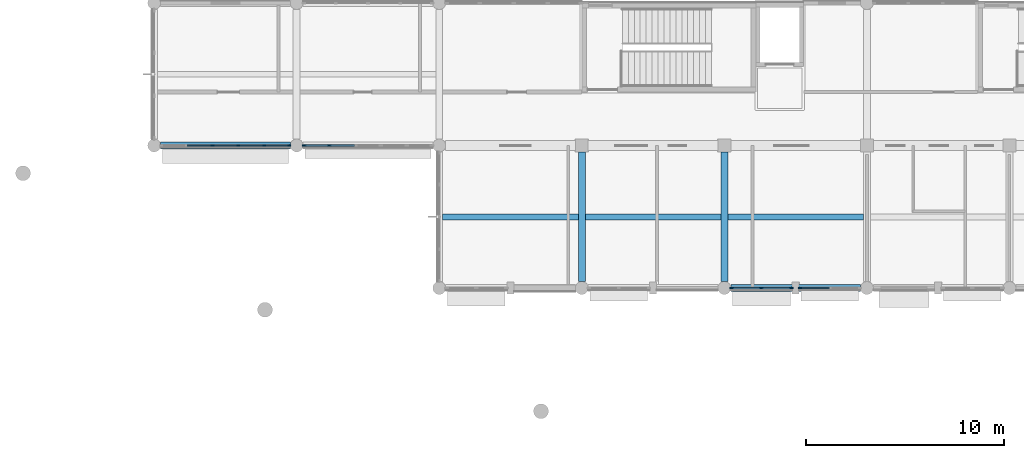
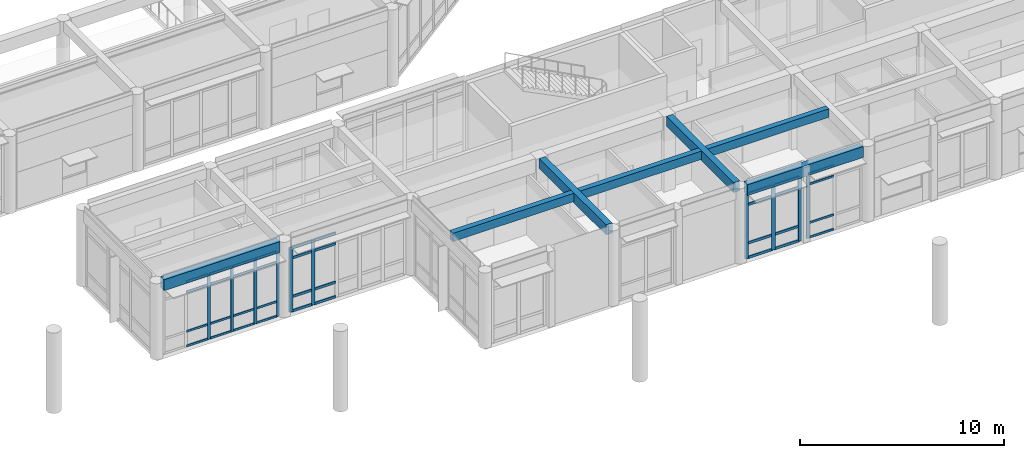
# One storey, part 4 of 92: 46 members, 7 beams, 4 elements without a shape of their own.
"""IFC4 building model written with IfcOpenShell, lengths in metres."""

from ifc_helpers import new_model, si_unit, direction, frame, origin, origin_2d, place, context, subcontext, project, spatial, rectangle, extrude, material, layer, layer_set, material_profile, profile_set, type_object, element, aggregate, save


model = new_model("IFC4")

# Units and contexts
model_context = context("Model", 3, precision=1e-05, world=origin(), true_north=direction((0.0, 1.0)))
body_context = subcontext(model_context, "Body", "Model", "MODEL_VIEW")
ifc_project = project(units=[si_unit("LENGTHUNIT", "METRE"), si_unit("AREAUNIT", "SQUARE_METRE"), si_unit("VOLUMEUNIT", "CUBIC_METRE"), si_unit("PLANEANGLEUNIT", "RADIAN"), si_unit("MASSUNIT", "GRAM", prefix="KILO")], contexts=[model_context])

# Site, building, storey
site_placement = place(None, origin())
site = spatial("IfcSite", under=ifc_project, at=site_placement, CompositionType="ELEMENT")
building_placement = place(site_placement, origin())
building = spatial("IfcBuilding", under=site, at=building_placement, Name="Namkhue Oval Health Centre", CompositionType="ELEMENT")
storey_placement = place(building_placement, frame((0.0, 0.0, 4.800048828125)))
storey = spatial("IfcBuildingStorey", under=building, at=storey_placement, Name="L01", CompositionType="ELEMENT", Elevation=4.800048828125)

# Curtain wall, member
ifc_material_1 = material(Name="Anodised aluminium EN AW-6063 T6", Category="aluminium")
ifc_layer_1 = layer(ifc_material_1, 0.159912109375)
ifc_layer_set_1 = layer_set([ifc_layer_1], Name="Anodised aluminium EN AW-6063 T6")
curtain_wall_type_1 = type_object("IfcCurtainWallType", Name="UNITISED CURTAIN WALL M1800", PredefinedType="NOTDEFINED", material=ifc_layer_set_1)
curtain_wall_1_placement = place(storey_placement, origin())
curtain_wall_1 = element("IfcCurtainWall", 1, at=curtain_wall_1_placement, inside=storey, type_object=curtain_wall_type_1, Name="Volume V4 L01 Unitised Curtain Wall 149", PredefinedType="NOTDEFINED")
ifc_material_profile_1 = material_profile(ifc_material_1, rectangle(XDim=0.06494140625, YDim=0.159912109375, at=origin_2d()), Name="ALU 65x160")
ifc_profile_set_1 = profile_set([ifc_material_profile_1], Name="Anodised aluminium EN AW-6063 T6")
member_type_1 = type_object("IfcMemberType", Name="CURTAIN WALL MULLION 65X160", PredefinedType="MULLION", material=ifc_profile_set_1)
member_1_placement = place(storey_placement, frame((68.618408203125, 14.39990234375, 0.0), z_axis=(0.0, 0.0, 1.0), x_axis=(0.0, 1.0, 0.0)))
member_1 = element("IfcMember", 2, at=member_1_placement, type_object=member_type_1, Name="CW-05 mullion 1", PredefinedType="MULLION", context=body_context, shape_type="SweptSolid", body=[
    extrude(rectangle(XDim=0.06494140625, YDim=0.159912109375, at=origin_2d()), origin(), (0.0, 0.0, 1.0), 3.85498046875),
])

# Curtain wall, members
ifc_layer_2 = layer(ifc_material_1, 0.159912109375)
ifc_layer_set_2 = layer_set([ifc_layer_2], Name="Anodised aluminium EN AW-6063 T6")
curtain_wall_type_2 = type_object("IfcCurtainWallType", Name="UNITISED CURTAIN WALL M1200", PredefinedType="NOTDEFINED", material=ifc_layer_set_2)
curtain_wall_2_placement = place(storey_placement, origin())
curtain_wall_2 = element("IfcCurtainWall", 3, at=curtain_wall_2_placement, inside=storey, type_object=curtain_wall_type_2, Name="Volume V4 L01 Unitised Curtain Wall 157", PredefinedType="NOTDEFINED")
member_2_placement = place(storey_placement, frame((38.947021484375, 21.60009765625, 0.0), z_axis=(0.0, 0.0, 1.0), x_axis=(0.0, 1.0, 0.0)))
member_2 = element("IfcMember", 4, at=member_2_placement, type_object=member_type_1, Name="CW-01 mullion 3", PredefinedType="MULLION", context=body_context, shape_type="SweptSolid", body=[
    extrude(rectangle(XDim=0.06494140625, YDim=0.159912109375, at=origin_2d()), origin(), (0.0, 0.0, 1.0), 3.89794921875),
])
member_3_placement = place(storey_placement, frame((40.2529296875, 21.60009765625, 0.0), z_axis=(0.0, 0.0, 1.0), x_axis=(0.0, 1.0, 0.0)))
member_3 = element("IfcMember", 5, at=member_3_placement, type_object=member_type_1, Name="CW-01 mullion 4", PredefinedType="MULLION", context=body_context, shape_type="SweptSolid", body=[
    extrude(rectangle(XDim=0.06494140625, YDim=0.159912109375, at=origin_2d()), origin(), (0.0, 0.0, 1.0), 3.89794921875),
])
member_4_placement = place(storey_placement, frame((41.55908203125, 21.60009765625, 0.0), z_axis=(0.0, 0.0, 1.0), x_axis=(0.0, 1.0, 0.0)))
member_4 = element("IfcMember", 6, at=member_4_placement, type_object=member_type_1, Name="CW-01 mullion 5", PredefinedType="MULLION", context=body_context, shape_type="SweptSolid", body=[
    extrude(rectangle(XDim=0.06494140625, YDim=0.159912109375, at=origin_2d()), origin(), (0.0, 0.0, 1.0), 3.89794921875),
])
member_5_placement = place(storey_placement, frame((42.83251953125, 21.60009765625, 0.0), z_axis=(0.0, 0.0, 1.0), x_axis=(0.0, 1.0, 0.0)))
member_5 = element("IfcMember", 7, at=member_5_placement, type_object=member_type_1, Name="CW-01 mullion 6", PredefinedType="MULLION", context=body_context, shape_type="SweptSolid", body=[
    extrude(rectangle(XDim=0.06494140625, YDim=0.159912109375, at=origin_2d()), origin(), (0.0, 0.0, 1.0), 3.89794921875),
])

ifc_layer_3 = layer(ifc_material_1, 0.159912109375)
ifc_layer_set_3 = layer_set([ifc_layer_3], Name="Anodised aluminium EN AW-6063 T6")
curtain_wall_type_3 = type_object("IfcCurtainWallType", Name="UNITISED CURTAIN WALL M1600", PredefinedType="NOTDEFINED", material=ifc_layer_set_3)
curtain_wall_3_placement = place(storey_placement, origin())
curtain_wall_3 = element("IfcCurtainWall", 8, at=curtain_wall_3_placement, inside=storey, type_object=curtain_wall_type_3, Name="Volume V4 L01 Unitised Curtain Wall 148", PredefinedType="NOTDEFINED")
ifc_material_profile_2 = material_profile(ifc_material_1, rectangle(XDim=0.074951171875, YDim=0.199951171875, at=origin_2d()), Name="ALU 75x200")
ifc_profile_set_2 = profile_set([ifc_material_profile_2], Name="Anodised aluminium EN AW-6063 T6")
member_type_2 = type_object("IfcMemberType", Name="CURTAIN WALL MULLION 75X200", PredefinedType="MULLION", material=ifc_profile_set_2)
member_6_placement = place(storey_placement, frame((65.172607421875, 14.39990234375, 0.0), z_axis=(0.0, 0.0, 1.0), x_axis=(0.0, 1.0, 0.0)))
member_6 = element("IfcMember", 9, at=member_6_placement, type_object=member_type_2, Name="CW-04 mullion 1", PredefinedType="MULLION", context=body_context, shape_type="SweptSolid", body=[
    extrude(rectangle(XDim=0.074951171875, YDim=0.199951171875, at=origin_2d()), origin(), (0.0, 0.0, 1.0), 3.85498046875),
])
member_7_placement = place(storey_placement, frame((66.674560546875, 14.39990234375, 0.0), z_axis=(0.0, 0.0, 1.0), x_axis=(0.0, 1.0, 0.0)))
member_7 = element("IfcMember", 10, at=member_7_placement, type_object=member_type_2, Name="CW-04 mullion 2", PredefinedType="MULLION", context=body_context, shape_type="SweptSolid", body=[
    extrude(rectangle(XDim=0.074951171875, YDim=0.199951171875, at=origin_2d()), origin(), (0.0, 0.0, 1.0), 3.85498046875),
])
member_8_placement = place(storey_placement, frame((68.176513671875, 14.39990234375, 0.0), z_axis=(0.0, 0.0, 1.0), x_axis=(0.0, 1.0, 0.0)))
member_8 = element("IfcMember", 11, at=member_8_placement, type_object=member_type_2, Name="CW-04 mullion 3", PredefinedType="MULLION", context=body_context, shape_type="SweptSolid", body=[
    extrude(rectangle(XDim=0.074951171875, YDim=0.199951171875, at=origin_2d()), origin(), (0.0, 0.0, 1.0), 3.85498046875),
])

ifc_layer_4 = layer(ifc_material_1, 0.159912109375)
ifc_layer_set_4 = layer_set([ifc_layer_4], Name="Anodised aluminium EN AW-6063 T6")
curtain_wall_type_4 = type_object("IfcCurtainWallType", Name="UNITISED CURTAIN WALL M1350", PredefinedType="NOTDEFINED", material=ifc_layer_set_4)
curtain_wall_4_placement = place(storey_placement, origin())
curtain_wall_4 = element("IfcCurtainWall", 12, at=curtain_wall_4_placement, inside=storey, type_object=curtain_wall_type_4, Name="Volume V4 L01 Unitised Curtain Wall 158", PredefinedType="NOTDEFINED")
member_9_placement = place(storey_placement, frame((43.572509765625, 21.60009765625, 0.0), z_axis=(0.0, 0.0, 1.0), x_axis=(0.0, 1.0, 0.0)))
member_9 = element("IfcMember", 13, at=member_9_placement, type_object=member_type_2, Name="CW-02 mullion 1", PredefinedType="MULLION", context=body_context, shape_type="SweptSolid", body=[
    extrude(rectangle(XDim=0.074951171875, YDim=0.199951171875, at=origin_2d()), origin(), (0.0, 0.0, 1.0), 3.85498046875),
])
member_10_placement = place(storey_placement, frame((44.841064453125, 21.60009765625, 0.0), z_axis=(0.0, 0.0, 1.0), x_axis=(0.0, 1.0, 0.0)))
member_10 = element("IfcMember", 14, at=member_10_placement, type_object=member_type_2, Name="CW-02 mullion 2", PredefinedType="MULLION", context=body_context, shape_type="SweptSolid", body=[
    extrude(rectangle(XDim=0.074951171875, YDim=0.199951171875, at=origin_2d()), origin(), (0.0, 0.0, 1.0), 3.85498046875),
])

# Member
ifc_material_profile_3 = material_profile(ifc_material_1, rectangle(XDim=0.06494140625, YDim=0.1201171875, at=origin_2d()), Name="ALU 65x120")
ifc_profile_set_3 = profile_set([ifc_material_profile_3], Name="Anodised aluminium EN AW-6063 T6")
member_type_3 = type_object("IfcMemberType", Name="CURTAIN WALL TRANSOM 65X120", PredefinedType="USERDEFINED", material=ifc_profile_set_3)
member_11_placement = place(storey_placement, frame((68.65087890625, 14.39990234375, 0.032470703125), z_axis=(1.0, 0.0, 0.0), x_axis=(0.0, 1.0, 0.0)))
member_11 = element("IfcMember", 15, at=member_11_placement, type_object=member_type_3, Name="CW-05 transom 1.1", ObjectType="TRANSOM", PredefinedType="USERDEFINED", context=body_context, shape_type="SweptSolid", body=[
    extrude(rectangle(XDim=0.06494140625, YDim=0.1201171875, at=origin_2d()), origin(), (0.0, 0.0, 1.0), 1.442138671875),
])

member_12_placement = place(storey_placement, frame((68.65087890625, 14.39990234375, 0.89990234375), z_axis=(1.0, 0.0, 0.0), x_axis=(0.0, 1.0, 0.0)))
member_12 = element("IfcMember", 16, at=member_12_placement, type_object=member_type_3, Name="CW-05 transom 1.2", ObjectType="TRANSOM", PredefinedType="USERDEFINED", context=body_context, shape_type="SweptSolid", body=[
    extrude(rectangle(XDim=0.06494140625, YDim=0.1201171875, at=origin_2d()), origin(), (0.0, 0.0, 1.0), 1.442138671875),
])

member_13_placement = place(storey_placement, frame((68.65087890625, 14.39990234375, 3.204833984375), z_axis=(1.0, 0.0, 0.0), x_axis=(0.0, 1.0, 0.0)))
member_13 = element("IfcMember", 17, at=member_13_placement, type_object=member_type_3, Name="CW-05 transom 1.3", ObjectType="TRANSOM", PredefinedType="USERDEFINED", context=body_context, shape_type="SweptSolid", body=[
    extrude(rectangle(XDim=0.06494140625, YDim=0.1201171875, at=origin_2d()), origin(), (0.0, 0.0, 1.0), 1.442138671875),
])

member_14_placement = place(storey_placement, frame((68.65087890625, 14.39990234375, 3.822509765625), z_axis=(1.0, 0.0, 0.0), x_axis=(0.0, 1.0, 0.0)))
member_14 = element("IfcMember", 18, at=member_14_placement, type_object=member_type_3, Name="CW-05 transom 1.4", ObjectType="TRANSOM", PredefinedType="USERDEFINED", context=body_context, shape_type="SweptSolid", body=[
    extrude(rectangle(XDim=0.06494140625, YDim=0.1201171875, at=origin_2d()), origin(), (0.0, 0.0, 1.0), 1.442138671875),
])

aggregate(curtain_wall_1, [member_1, member_11, member_12, member_13, member_14])

member_15_placement = place(storey_placement, frame((37.673583984375, 21.60009765625, 0.032470703125), z_axis=(1.0, 0.0, 0.0), x_axis=(0.0, 1.0, 0.0)))
member_15 = element("IfcMember", 19, at=member_15_placement, type_object=member_type_3, Name="CW-01 transom 2.1", ObjectType="TRANSOM", PredefinedType="USERDEFINED", context=body_context, shape_type="SweptSolid", body=[
    extrude(rectangle(XDim=0.06494140625, YDim=0.1201171875, at=origin_2d()), origin(), (0.0, 0.0, 1.0), 1.240966796875),
])

member_16_placement = place(storey_placement, frame((37.673583984375, 21.60009765625, 0.89990234375), z_axis=(1.0, 0.0, 0.0), x_axis=(0.0, 1.0, 0.0)))
member_16 = element("IfcMember", 20, at=member_16_placement, type_object=member_type_3, Name="CW-01 transom 2.2", ObjectType="TRANSOM", PredefinedType="USERDEFINED", context=body_context, shape_type="SweptSolid", body=[
    extrude(rectangle(XDim=0.06494140625, YDim=0.1201171875, at=origin_2d()), origin(), (0.0, 0.0, 1.0), 1.240966796875),
])

member_17_placement = place(storey_placement, frame((37.673583984375, 21.60009765625, 3.248046875), z_axis=(1.0, 0.0, 0.0), x_axis=(0.0, 1.0, 0.0)))
member_17 = element("IfcMember", 21, at=member_17_placement, type_object=member_type_3, Name="CW-01 transom 2.3", ObjectType="TRANSOM", PredefinedType="USERDEFINED", context=body_context, shape_type="SweptSolid", body=[
    extrude(rectangle(XDim=0.06494140625, YDim=0.1201171875, at=origin_2d()), origin(), (0.0, 0.0, 1.0), 1.240966796875),
])

member_18_placement = place(storey_placement, frame((37.673583984375, 21.60009765625, 3.865478515625), z_axis=(1.0, 0.0, 0.0), x_axis=(0.0, 1.0, 0.0)))
member_18 = element("IfcMember", 22, at=member_18_placement, type_object=member_type_3, Name="CW-01 transom 2.4", ObjectType="TRANSOM", PredefinedType="USERDEFINED", context=body_context, shape_type="SweptSolid", body=[
    extrude(rectangle(XDim=0.06494140625, YDim=0.1201171875, at=origin_2d()), origin(), (0.0, 0.0, 1.0), 1.240966796875),
])

member_19_placement = place(storey_placement, frame((38.9794921875, 21.60009765625, 0.032470703125), z_axis=(1.0, 0.0, 0.0), x_axis=(0.0, 1.0, 0.0)))
member_19 = element("IfcMember", 23, at=member_19_placement, type_object=member_type_3, Name="CW-01 transom 3.1", ObjectType="TRANSOM", PredefinedType="USERDEFINED", context=body_context, shape_type="SweptSolid", body=[
    extrude(rectangle(XDim=0.06494140625, YDim=0.1201171875, at=origin_2d()), origin(), (0.0, 0.0, 1.0), 1.240966796875),
])

member_20_placement = place(storey_placement, frame((38.9794921875, 21.60009765625, 0.89990234375), z_axis=(1.0, 0.0, 0.0), x_axis=(0.0, 1.0, 0.0)))
member_20 = element("IfcMember", 24, at=member_20_placement, type_object=member_type_3, Name="CW-01 transom 3.2", ObjectType="TRANSOM", PredefinedType="USERDEFINED", context=body_context, shape_type="SweptSolid", body=[
    extrude(rectangle(XDim=0.06494140625, YDim=0.1201171875, at=origin_2d()), origin(), (0.0, 0.0, 1.0), 1.240966796875),
])

member_21_placement = place(storey_placement, frame((38.9794921875, 21.60009765625, 3.248046875), z_axis=(1.0, 0.0, 0.0), x_axis=(0.0, 1.0, 0.0)))
member_21 = element("IfcMember", 25, at=member_21_placement, type_object=member_type_3, Name="CW-01 transom 3.3", ObjectType="TRANSOM", PredefinedType="USERDEFINED", context=body_context, shape_type="SweptSolid", body=[
    extrude(rectangle(XDim=0.06494140625, YDim=0.1201171875, at=origin_2d()), origin(), (0.0, 0.0, 1.0), 1.240966796875),
])

member_22_placement = place(storey_placement, frame((38.9794921875, 21.60009765625, 3.865478515625), z_axis=(1.0, 0.0, 0.0), x_axis=(0.0, 1.0, 0.0)))
member_22 = element("IfcMember", 26, at=member_22_placement, type_object=member_type_3, Name="CW-01 transom 3.4", ObjectType="TRANSOM", PredefinedType="USERDEFINED", context=body_context, shape_type="SweptSolid", body=[
    extrude(rectangle(XDim=0.06494140625, YDim=0.1201171875, at=origin_2d()), origin(), (0.0, 0.0, 1.0), 1.240966796875),
])

member_23_placement = place(storey_placement, frame((40.285400390625, 21.60009765625, 0.032470703125), z_axis=(1.0, 0.0, 0.0), x_axis=(0.0, 1.0, 0.0)))
member_23 = element("IfcMember", 27, at=member_23_placement, type_object=member_type_3, Name="CW-01 transom 4.1", ObjectType="TRANSOM", PredefinedType="USERDEFINED", context=body_context, shape_type="SweptSolid", body=[
    extrude(rectangle(XDim=0.06494140625, YDim=0.1201171875, at=origin_2d()), origin(), (0.0, 0.0, 1.0), 1.2412109375),
])

member_24_placement = place(storey_placement, frame((40.285400390625, 21.60009765625, 0.89990234375), z_axis=(1.0, 0.0, 0.0), x_axis=(0.0, 1.0, 0.0)))
member_24 = element("IfcMember", 28, at=member_24_placement, type_object=member_type_3, Name="CW-01 transom 4.2", ObjectType="TRANSOM", PredefinedType="USERDEFINED", context=body_context, shape_type="SweptSolid", body=[
    extrude(rectangle(XDim=0.06494140625, YDim=0.1201171875, at=origin_2d()), origin(), (0.0, 0.0, 1.0), 1.2412109375),
])

member_25_placement = place(storey_placement, frame((40.285400390625, 21.60009765625, 3.248046875), z_axis=(1.0, 0.0, 0.0), x_axis=(0.0, 1.0, 0.0)))
member_25 = element("IfcMember", 29, at=member_25_placement, type_object=member_type_3, Name="CW-01 transom 4.3", ObjectType="TRANSOM", PredefinedType="USERDEFINED", context=body_context, shape_type="SweptSolid", body=[
    extrude(rectangle(XDim=0.06494140625, YDim=0.1201171875, at=origin_2d()), origin(), (0.0, 0.0, 1.0), 1.2412109375),
])

member_26_placement = place(storey_placement, frame((40.285400390625, 21.60009765625, 3.865478515625), z_axis=(1.0, 0.0, 0.0), x_axis=(0.0, 1.0, 0.0)))
member_26 = element("IfcMember", 30, at=member_26_placement, type_object=member_type_3, Name="CW-01 transom 4.4", ObjectType="TRANSOM", PredefinedType="USERDEFINED", context=body_context, shape_type="SweptSolid", body=[
    extrude(rectangle(XDim=0.06494140625, YDim=0.1201171875, at=origin_2d()), origin(), (0.0, 0.0, 1.0), 1.2412109375),
])

member_27_placement = place(storey_placement, frame((41.591552734375, 21.60009765625, 0.032470703125), z_axis=(1.0, 0.0, 0.0), x_axis=(0.0, 1.0, 0.0)))
member_27 = element("IfcMember", 31, at=member_27_placement, type_object=member_type_3, Name="CW-01 transom 5.1", ObjectType="TRANSOM", PredefinedType="USERDEFINED", context=body_context, shape_type="SweptSolid", body=[
    extrude(rectangle(XDim=0.06494140625, YDim=0.1201171875, at=origin_2d()), origin(), (0.0, 0.0, 1.0), 1.20849609375),
])

member_28_placement = place(storey_placement, frame((41.591552734375, 21.60009765625, 0.89990234375), z_axis=(1.0, 0.0, 0.0), x_axis=(0.0, 1.0, 0.0)))
member_28 = element("IfcMember", 32, at=member_28_placement, type_object=member_type_3, Name="CW-01 transom 5.2", ObjectType="TRANSOM", PredefinedType="USERDEFINED", context=body_context, shape_type="SweptSolid", body=[
    extrude(rectangle(XDim=0.06494140625, YDim=0.1201171875, at=origin_2d()), origin(), (0.0, 0.0, 1.0), 1.20849609375),
])

member_29_placement = place(storey_placement, frame((41.591552734375, 21.60009765625, 3.248046875), z_axis=(1.0, 0.0, 0.0), x_axis=(0.0, 1.0, 0.0)))
member_29 = element("IfcMember", 33, at=member_29_placement, type_object=member_type_3, Name="CW-01 transom 5.3", ObjectType="TRANSOM", PredefinedType="USERDEFINED", context=body_context, shape_type="SweptSolid", body=[
    extrude(rectangle(XDim=0.06494140625, YDim=0.1201171875, at=origin_2d()), origin(), (0.0, 0.0, 1.0), 1.20849609375),
])

member_30_placement = place(storey_placement, frame((41.591552734375, 21.60009765625, 3.865478515625), z_axis=(1.0, 0.0, 0.0), x_axis=(0.0, 1.0, 0.0)))
member_30 = element("IfcMember", 34, at=member_30_placement, type_object=member_type_3, Name="CW-01 transom 5.4", ObjectType="TRANSOM", PredefinedType="USERDEFINED", context=body_context, shape_type="SweptSolid", body=[
    extrude(rectangle(XDim=0.06494140625, YDim=0.1201171875, at=origin_2d()), origin(), (0.0, 0.0, 1.0), 1.20849609375),
])

aggregate(curtain_wall_2, [member_2, member_3, member_4, member_5, member_15, member_16, member_17, member_18, member_19, member_20, member_21, member_22, member_23, member_24, member_25, member_26, member_27, member_28, member_29, member_30])

ifc_material_profile_4 = material_profile(ifc_material_1, rectangle(XDim=0.074951171875, YDim=0.14990234375, at=origin_2d()), Name="ALU 75x150")
ifc_profile_set_4 = profile_set([ifc_material_profile_4], Name="Anodised aluminium EN AW-6063 T6")
member_type_4 = type_object("IfcMemberType", Name="CURTAIN WALL TRANSOM 75X150", PredefinedType="USERDEFINED", material=ifc_profile_set_4)
member_31_placement = place(storey_placement, frame((65.2099609375, 14.39990234375, 0.037353515625), z_axis=(1.0, 0.0, 0.0), x_axis=(0.0, 1.0, 0.0)))
member_31 = element("IfcMember", 35, at=member_31_placement, type_object=member_type_4, Name="CW-04 transom 1.1", ObjectType="TRANSOM", PredefinedType="USERDEFINED", context=body_context, shape_type="SweptSolid", body=[
    extrude(rectangle(XDim=0.074951171875, YDim=0.14990234375, at=origin_2d()), origin(), (0.0, 0.0, 1.0), 1.427001953125),
])

member_32_placement = place(storey_placement, frame((65.2099609375, 14.39990234375, 0.89990234375), z_axis=(1.0, 0.0, 0.0), x_axis=(0.0, 1.0, 0.0)))
member_32 = element("IfcMember", 36, at=member_32_placement, type_object=member_type_4, Name="CW-04 transom 1.2", ObjectType="TRANSOM", PredefinedType="USERDEFINED", context=body_context, shape_type="SweptSolid", body=[
    extrude(rectangle(XDim=0.074951171875, YDim=0.14990234375, at=origin_2d()), origin(), (0.0, 0.0, 1.0), 1.427001953125),
])

member_33_placement = place(storey_placement, frame((65.2099609375, 14.39990234375, 3.204833984375), z_axis=(1.0, 0.0, 0.0), x_axis=(0.0, 1.0, 0.0)))
member_33 = element("IfcMember", 37, at=member_33_placement, type_object=member_type_4, Name="CW-04 transom 1.3", ObjectType="TRANSOM", PredefinedType="USERDEFINED", context=body_context, shape_type="SweptSolid", body=[
    extrude(rectangle(XDim=0.074951171875, YDim=0.14990234375, at=origin_2d()), origin(), (0.0, 0.0, 1.0), 1.427001953125),
])

member_34_placement = place(storey_placement, frame((65.2099609375, 14.39990234375, 3.8173828125), z_axis=(1.0, 0.0, 0.0), x_axis=(0.0, 1.0, 0.0)))
member_34 = element("IfcMember", 38, at=member_34_placement, type_object=member_type_4, Name="CW-04 transom 1.4", ObjectType="TRANSOM", PredefinedType="USERDEFINED", context=body_context, shape_type="SweptSolid", body=[
    extrude(rectangle(XDim=0.074951171875, YDim=0.14990234375, at=origin_2d()), origin(), (0.0, 0.0, 1.0), 1.427001953125),
])

member_35_placement = place(storey_placement, frame((66.7119140625, 14.39990234375, 0.037353515625), z_axis=(1.0, 0.0, 0.0), x_axis=(0.0, 1.0, 0.0)))
member_35 = element("IfcMember", 39, at=member_35_placement, type_object=member_type_4, Name="CW-04 transom 2.1", ObjectType="TRANSOM", PredefinedType="USERDEFINED", context=body_context, shape_type="SweptSolid", body=[
    extrude(rectangle(XDim=0.074951171875, YDim=0.14990234375, at=origin_2d()), origin(), (0.0, 0.0, 1.0), 1.427001953125),
])

member_36_placement = place(storey_placement, frame((66.7119140625, 14.39990234375, 0.89990234375), z_axis=(1.0, 0.0, 0.0), x_axis=(0.0, 1.0, 0.0)))
member_36 = element("IfcMember", 40, at=member_36_placement, type_object=member_type_4, Name="CW-04 transom 2.2", ObjectType="TRANSOM", PredefinedType="USERDEFINED", context=body_context, shape_type="SweptSolid", body=[
    extrude(rectangle(XDim=0.074951171875, YDim=0.14990234375, at=origin_2d()), origin(), (0.0, 0.0, 1.0), 1.427001953125),
])

member_37_placement = place(storey_placement, frame((66.7119140625, 14.39990234375, 3.204833984375), z_axis=(1.0, 0.0, 0.0), x_axis=(0.0, 1.0, 0.0)))
member_37 = element("IfcMember", 41, at=member_37_placement, type_object=member_type_4, Name="CW-04 transom 2.3", ObjectType="TRANSOM", PredefinedType="USERDEFINED", context=body_context, shape_type="SweptSolid", body=[
    extrude(rectangle(XDim=0.074951171875, YDim=0.14990234375, at=origin_2d()), origin(), (0.0, 0.0, 1.0), 1.427001953125),
])

member_38_placement = place(storey_placement, frame((66.7119140625, 14.39990234375, 3.8173828125), z_axis=(1.0, 0.0, 0.0), x_axis=(0.0, 1.0, 0.0)))
member_38 = element("IfcMember", 42, at=member_38_placement, type_object=member_type_4, Name="CW-04 transom 2.4", ObjectType="TRANSOM", PredefinedType="USERDEFINED", context=body_context, shape_type="SweptSolid", body=[
    extrude(rectangle(XDim=0.074951171875, YDim=0.14990234375, at=origin_2d()), origin(), (0.0, 0.0, 1.0), 1.427001953125),
])

aggregate(curtain_wall_3, [member_6, member_7, member_8, member_31, member_32, member_33, member_34, member_35, member_36, member_37, member_38])

member_39_placement = place(storey_placement, frame((43.610107421875, 21.60009765625, 0.037353515625), z_axis=(1.0, 0.0, 0.0), x_axis=(0.0, 1.0, 0.0)))
member_39 = element("IfcMember", 43, at=member_39_placement, type_object=member_type_4, Name="CW-02 transom 1.1", ObjectType="TRANSOM", PredefinedType="USERDEFINED", context=body_context, shape_type="SweptSolid", body=[
    extrude(rectangle(XDim=0.074951171875, YDim=0.14990234375, at=origin_2d()), origin(), (0.0, 0.0, 1.0), 1.193359375),
])

member_40_placement = place(storey_placement, frame((43.610107421875, 21.60009765625, 0.89990234375), z_axis=(1.0, 0.0, 0.0), x_axis=(0.0, 1.0, 0.0)))
member_40 = element("IfcMember", 44, at=member_40_placement, type_object=member_type_4, Name="CW-02 transom 1.2", ObjectType="TRANSOM", PredefinedType="USERDEFINED", context=body_context, shape_type="SweptSolid", body=[
    extrude(rectangle(XDim=0.074951171875, YDim=0.14990234375, at=origin_2d()), origin(), (0.0, 0.0, 1.0), 1.193359375),
])

member_41_placement = place(storey_placement, frame((43.610107421875, 21.60009765625, 3.204833984375), z_axis=(1.0, 0.0, 0.0), x_axis=(0.0, 1.0, 0.0)))
member_41 = element("IfcMember", 45, at=member_41_placement, type_object=member_type_4, Name="CW-02 transom 1.3", ObjectType="TRANSOM", PredefinedType="USERDEFINED", context=body_context, shape_type="SweptSolid", body=[
    extrude(rectangle(XDim=0.074951171875, YDim=0.14990234375, at=origin_2d()), origin(), (0.0, 0.0, 1.0), 1.193359375),
])

member_42_placement = place(storey_placement, frame((43.610107421875, 21.60009765625, 3.8173828125), z_axis=(1.0, 0.0, 0.0), x_axis=(0.0, 1.0, 0.0)))
member_42 = element("IfcMember", 46, at=member_42_placement, type_object=member_type_4, Name="CW-02 transom 1.4", ObjectType="TRANSOM", PredefinedType="USERDEFINED", context=body_context, shape_type="SweptSolid", body=[
    extrude(rectangle(XDim=0.074951171875, YDim=0.14990234375, at=origin_2d()), origin(), (0.0, 0.0, 1.0), 1.193359375),
])

member_43_placement = place(storey_placement, frame((44.87841796875, 21.60009765625, 0.037353515625), z_axis=(1.0, 0.0, 0.0), x_axis=(0.0, 1.0, 0.0)))
member_43 = element("IfcMember", 47, at=member_43_placement, type_object=member_type_4, Name="CW-02 transom 2.1", ObjectType="TRANSOM", PredefinedType="USERDEFINED", context=body_context, shape_type="SweptSolid", body=[
    extrude(rectangle(XDim=0.074951171875, YDim=0.14990234375, at=origin_2d()), origin(), (0.0, 0.0, 1.0), 1.231201171875),
])

member_44_placement = place(storey_placement, frame((44.87841796875, 21.60009765625, 0.89990234375), z_axis=(1.0, 0.0, 0.0), x_axis=(0.0, 1.0, 0.0)))
member_44 = element("IfcMember", 48, at=member_44_placement, type_object=member_type_4, Name="CW-02 transom 2.2", ObjectType="TRANSOM", PredefinedType="USERDEFINED", context=body_context, shape_type="SweptSolid", body=[
    extrude(rectangle(XDim=0.074951171875, YDim=0.14990234375, at=origin_2d()), origin(), (0.0, 0.0, 1.0), 1.231201171875),
])

member_45_placement = place(storey_placement, frame((44.87841796875, 21.60009765625, 3.204833984375), z_axis=(1.0, 0.0, 0.0), x_axis=(0.0, 1.0, 0.0)))
member_45 = element("IfcMember", 49, at=member_45_placement, type_object=member_type_4, Name="CW-02 transom 2.3", ObjectType="TRANSOM", PredefinedType="USERDEFINED", context=body_context, shape_type="SweptSolid", body=[
    extrude(rectangle(XDim=0.074951171875, YDim=0.14990234375, at=origin_2d()), origin(), (0.0, 0.0, 1.0), 1.231201171875),
])

member_46_placement = place(storey_placement, frame((44.87841796875, 21.60009765625, 3.8173828125), z_axis=(1.0, 0.0, 0.0), x_axis=(0.0, 1.0, 0.0)))
member_46 = element("IfcMember", 50, at=member_46_placement, type_object=member_type_4, Name="CW-02 transom 2.4", ObjectType="TRANSOM", PredefinedType="USERDEFINED", context=body_context, shape_type="SweptSolid", body=[
    extrude(rectangle(XDim=0.074951171875, YDim=0.14990234375, at=origin_2d()), origin(), (0.0, 0.0, 1.0), 1.231201171875),
])

aggregate(curtain_wall_4, [member_9, member_10, member_39, member_40, member_41, member_42, member_43, member_44, member_45, member_46])

# Beams
ifc_material_2 = material(Name="Reinforced concrete C30/37 (TCVN B35)", Category="concrete")
ifc_material_profile_5 = material_profile(ifc_material_2, rectangle(XDim=0.35009765625, YDim=0.60009765625, at=origin_2d()), Name="RC 350x600")
ifc_profile_set_5 = profile_set([ifc_material_profile_5], Name="Reinforced concrete C30/37 (TCVN B35)")
beam_type_1 = type_object("IfcBeamType", Name="FLOOR BEAM RC 350X600", PredefinedType="BEAM", material=ifc_profile_set_5)
for number, where, z_axis, x_axis, name in (
    (51, (57.60009765625, 14.72509765625, 4.204833984375), (0.0, 1.0, 0.0), (-1.0, 0.0, 0.0), "Volume V4 L02 Beam 9/C-D"),
    (52, (64.800048828125, 14.72509765625, 4.204833984375), (0.0, 1.0, 0.0), (-1.0, 0.0, 0.0), "Volume V4 L02 Beam 10/C-D"),
):
    element("IfcBeam", number, at=place(storey_placement, frame(where, z_axis=z_axis, x_axis=x_axis)), inside=storey, type_object=beam_type_1, Name=name, PredefinedType="BEAM", context=body_context, shape_type="SweptSolid", body=[
        extrude(rectangle(XDim=0.35009765625, YDim=0.60009765625, at=origin_2d()), origin(), (0.0, 0.0, 1.0), 6.5498046875),
    ])
ifc_material_3 = material(Name="Reinforced concrete C35/45 (TCVN B40)", Category="concrete")
ifc_material_profile_6 = material_profile(ifc_material_3, rectangle(XDim=0.35009765625, YDim=0.64990234375, at=origin_2d()), Name="RC 350x650")
ifc_profile_set_6 = profile_set([ifc_material_profile_6], Name="Reinforced concrete C35/45 (TCVN B40)")
beam_type_2 = type_object("IfcBeamType", Name="PERIMETER SPANDREL BEAM 350X650", PredefinedType="SPANDREL", material=ifc_profile_set_6)
for number, where, z_axis, x_axis, name in (
    (53, (65.125, 14.39990234375, 4.179931640625), (1.0, 0.0, 0.0), (0.0, 1.0, 0.0), "Volume V4 L02 Girder C/10-11"),
    (54, (36.324951171875, 21.60009765625, 4.222900390625), (1.0, 0.0, 0.0), (0.0, 1.0, 0.0), "Volume V4 L02 Girder D/6-7"),
):
    element("IfcBeam", number, at=place(storey_placement, frame(where, z_axis=z_axis, x_axis=x_axis)), inside=storey, type_object=beam_type_2, Name=name, PredefinedType="SPANDREL", context=body_context, shape_type="SweptSolid", body=[
        extrude(rectangle(XDim=0.35009765625, YDim=0.64990234375, at=origin_2d()), origin(), (0.0, 0.0, 1.0), 6.550048828125),
    ])
ifc_material_profile_7 = material_profile(ifc_material_2, rectangle(XDim=0.300048828125, YDim=0.5, at=origin_2d()), Name="RC 300x500")
ifc_profile_set_7 = profile_set([ifc_material_profile_7], Name="Reinforced concrete C30/37 (TCVN B35)")
beam_type_3 = type_object("IfcBeamType", Name="SECONDARY JOIST RC 300X500", PredefinedType="JOIST", material=ifc_profile_set_7)
for number, where, z_axis, x_axis, name in (
    (55, (50.574951171875, 18.0, 4.2548828125), (1.0, 0.0, 0.0), (0.0, 1.0, 0.0), "Volume V4 L02 Secondary Joist 8-9"),
    (56, (57.77490234375, 18.0, 4.2548828125), (1.0, 0.0, 0.0), (0.0, 1.0, 0.0), "Volume V4 L02 Secondary Joist 9-10"),
):
    element("IfcBeam", number, at=place(storey_placement, frame(where, z_axis=z_axis, x_axis=x_axis)), inside=storey, type_object=beam_type_3, Name=name, PredefinedType="JOIST", context=body_context, shape_type="SweptSolid", body=[
        extrude(rectangle(XDim=0.300048828125, YDim=0.5, at=origin_2d()), origin(), (0.0, 0.0, 1.0), 6.85009765625),
    ])
beam_placement = place(storey_placement, frame((64.97509765625, 18.0, 4.2548828125), z_axis=(1.0, 0.0, 0.0), x_axis=(0.0, 1.0, 0.0)))
element("IfcBeam", 57, at=beam_placement, inside=storey, type_object=beam_type_3, Name="Volume V4 L02 Secondary Joist 10-11", PredefinedType="JOIST", context=body_context, shape_type="SweptSolid", body=[
    extrude(rectangle(XDim=0.300048828125, YDim=0.5, at=origin_2d()), origin(), (0.0, 0.0, 1.0), 6.849853515625),
])

save(model, "model.ifc")
